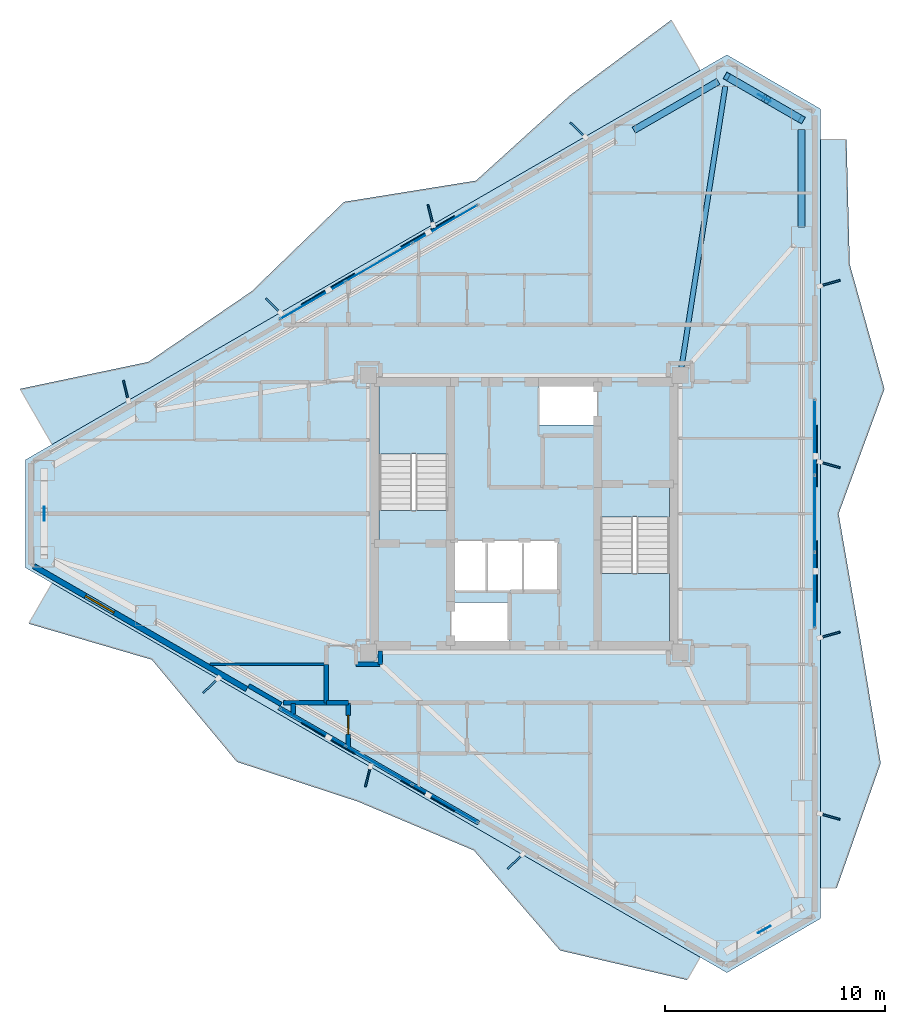
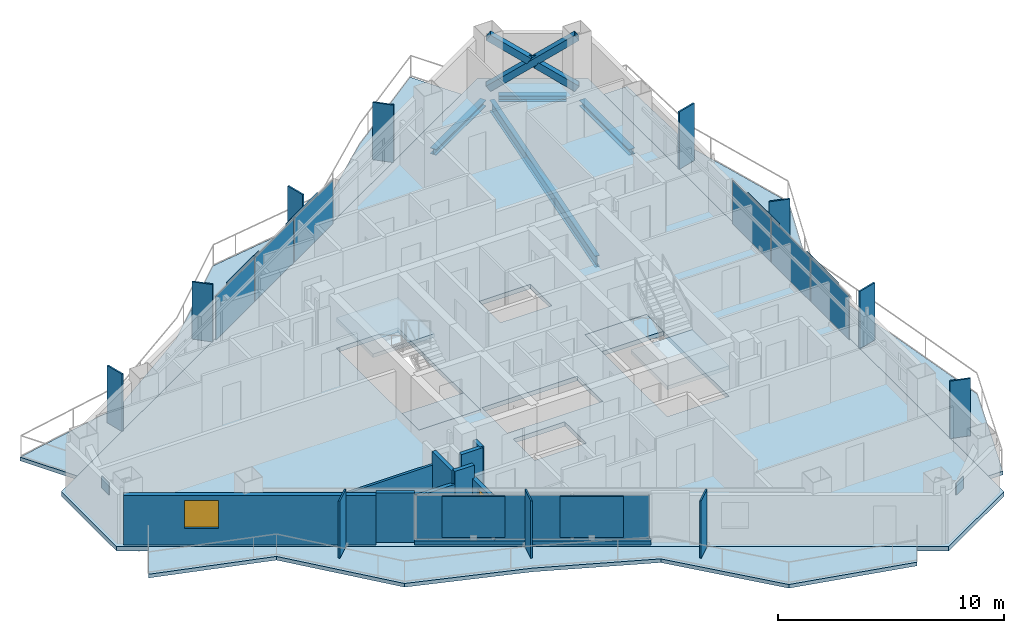
# One storey, part 11 of 18: 29 plates, 11 walls, 8 slabs, 4 beams, 3 members, 1 door, 1 window, 2 openings, 5 elements without a shape of their own.
"""IFC4 building model written with IfcOpenShell, lengths in metres."""

from ifc_helpers import new_model, si_unit, direction, frame, frame_2d, origin, origin_2d, place, context, subcontext, project, spatial, polyline, rectangle, hollow_rectangle, i_section, outline, extrude, material, layer, layer_set, material_profile, profile_set, type_object, element, fill, aggregate, save


model = new_model("IFC4")

# Units and contexts
model_context = context("Model", 3, precision=1e-05, world=origin(), true_north=direction((0.0, 1.0)))
body_context = subcontext(model_context, "Body", "Model", "MODEL_VIEW")
ifc_project = project(units=[si_unit("LENGTHUNIT", "METRE"), si_unit("AREAUNIT", "SQUARE_METRE"), si_unit("VOLUMEUNIT", "CUBIC_METRE"), si_unit("PLANEANGLEUNIT", "RADIAN"), si_unit("MASSUNIT", "GRAM", prefix="KILO")], contexts=[model_context])

# Site, building, storey
site_placement = place(None, origin())
site = spatial("IfcSite", under=ifc_project, at=site_placement, CompositionType="ELEMENT")
building_placement = place(site_placement, origin())
building = spatial("IfcBuilding", under=site, at=building_placement, Name="Mersakhor Tower and Convention Hall", CompositionType="ELEMENT")
storey_placement = place(building_placement, frame((0.0, 0.0, 150.89990234375)))
storey = spatial("IfcBuildingStorey", under=building, at=storey_placement, Name="L42", CompositionType="ELEMENT", Elevation=150.89990234375)

# Beams
ifc_material_1 = material(Name="Steel S355", Category="steel")
ifc_material_profile_1 = material_profile(ifc_material_1, i_section(OverallWidth=0.22900390625, OverallDepth=0.6123046875, WebThickness=0.011962890625, FlangeThickness=0.01953125, at=origin_2d()), Name="UB 610x229x125")
ifc_profile_set_1 = profile_set([ifc_material_profile_1], Name="Steel S355")
beam_type_1 = type_object("IfcBeamType", Name="BM-PR-610", PredefinedType="BEAM", material=ifc_profile_set_1)
beam_1_placement = place(storey_placement, frame((36.15478515625, 33.40087890625, -0.5458984375), z_axis=(0.154111159783, 0.988053515975, 0.0), x_axis=(-0.988053515975, 0.154111159783, 0.0)))
element("IfcBeam", 1, at=beam_1_placement, inside=storey, type_object=beam_type_1, Name="L42 Primary Floor Girder FG-2", PredefinedType="BEAM", context=body_context, shape_type="SweptSolid", body=[
    extrude(i_section(OverallWidth=0.22900390625, OverallDepth=0.6123046875, WebThickness=0.011962890625, FlangeThickness=0.01953125, at=origin_2d()), origin(), (0.0, 0.0, 1.0), 12.94921875),
])
ifc_material_2 = material(Name="Steel S355", Category="steel")
ifc_material_profile_2 = material_profile(ifc_material_2, i_section(OverallWidth=0.30908203125, OverallDepth=0.320556640625, WebThickness=0.013916015625, FlangeThickness=0.021728515625, at=origin_2d()), Name="UC 305x305x137")
ifc_profile_set_2 = profile_set([ifc_material_profile_2], Name="Steel S355")
beam_type_2 = type_object("IfcBeamType", Name="BM-SPD-UC305", PredefinedType="SPANDREL", material=ifc_profile_set_2)
beam_2_placement = place(storey_placement, frame((33.986572265625, 44.200439453125, -0.400146484375), z_axis=(0.866038875684, 0.49997666526, 0.0), x_axis=(-0.49997666526, 0.866038875684, 0.0)))
element("IfcBeam", 2, at=beam_2_placement, inside=storey, type_object=beam_type_2, Name="L42 Perimeter Spandrel Beam SPB-03", PredefinedType="SPANDREL", context=body_context, shape_type="SweptSolid", body=[
    extrude(i_section(OverallWidth=0.30908203125, OverallDepth=0.320556640625, WebThickness=0.013916015625, FlangeThickness=0.021728515625, at=origin_2d()), origin(), (0.0, 0.0, 1.0), 4.433837890625),
])
beam_3_placement = place(storey_placement, frame((38.614501953125, 46.417236328125, -0.400146484375), z_axis=(0.86604667077, -0.499963162692, 0.0), x_axis=(0.499963162692, 0.86604667077, 0.0)))
element("IfcBeam", 3, at=beam_3_placement, inside=storey, type_object=beam_type_2, Name="L42 Perimeter Spandrel Beam SPB-04", PredefinedType="SPANDREL", context=body_context, shape_type="SweptSolid", body=[
    extrude(i_section(OverallWidth=0.30908203125, OverallDepth=0.320556640625, WebThickness=0.013916015625, FlangeThickness=0.021728515625, at=origin_2d()), origin(), (0.0, 0.0, 1.0), 3.014404296875),
])
beam_4_placement = place(storey_placement, frame((41.619140625, 44.2275390625, -0.400146484375), z_axis=(0.0, -1.0, 0.0), x_axis=(1.0, 0.0, 0.0)))
element("IfcBeam", 4, at=beam_4_placement, inside=storey, type_object=beam_type_2, Name="L42 Perimeter Spandrel Beam SPB-05", PredefinedType="SPANDREL", context=body_context, shape_type="SweptSolid", body=[
    extrude(i_section(OverallWidth=0.30908203125, OverallDepth=0.320556640625, WebThickness=0.013916015625, FlangeThickness=0.021728515625, at=origin_2d()), origin(), (0.0, 0.0, 1.0), 4.433837890625),
])

# Members
ifc_material_3 = material(Name="Steel S460", Category="steel")
ifc_material_profile_3 = material_profile(ifc_material_3, hollow_rectangle(XDim=0.35009765625, YDim=0.35009765625, WallThickness=0.02001953125, at=origin_2d()), Name="SHS 350x350x20")
ifc_profile_set_3 = profile_set([ifc_material_profile_3], Name="Steel S460")
member_type = type_object("IfcMemberType", Name="MB-BRC-SHS350", PredefinedType="BRACE", material=ifc_profile_set_3)
member_placement = place(storey_placement, frame((38.220458984375, 46.644775390625, 0.150146484375), z_axis=(0.70838533923, -0.408971551713, 0.575267312693), x_axis=(0.499986324622, 0.866033299124, 0.0)))
element("IfcMember", 5, at=member_placement, inside=storey, type_object=member_type, Name="L42 Chamfer Braced Frame Diagonal CB-1A", PredefinedType="BRACE", context=body_context, shape_type="SweptSolid", body=[
    extrude(hollow_rectangle(XDim=0.35009765625, YDim=0.35009765625, WallThickness=0.02001953125, at=origin_2d()), origin(), (0.0, 0.0, 1.0), 4.7978515625),
])
for number, where, z_axis, x_axis, name in (
    (6, (41.619140625, 44.6826171875, 0.150146484375), (-0.708409139881, 0.409012716899, 0.575208734242), (-0.500011469263, -0.866018781901, 0.0), "L42 Chamfer Braced Frame Diagonal CB-1B Lower Half"),
    (7, (39.782470703125, 45.742919921875, 1.6416015625), (-0.708364021879, 0.408986667212, 0.575282816143), (-0.500011469263, -0.866018781901, 0.0), "L42 Chamfer Braced Frame Diagonal CB-1B Upper Half"),
):
    element("IfcMember", number, at=place(storey_placement, frame(where, z_axis=z_axis, x_axis=x_axis)), inside=storey, type_object=member_type, Name=name, PredefinedType="BRACE", context=body_context, shape_type="SweptSolid", body=[
        extrude(hollow_rectangle(XDim=0.35009765625, YDim=0.35009765625, WallThickness=0.02001953125, at=origin_2d()), origin(), (0.0, 0.0, 1.0), 2.205078125),
    ])

# Curtain wall, plates
ifc_material_4 = material(Name="Dark solar low-E aluminium curtain wall", Category="aluminium")
ifc_layer_1 = layer(ifc_material_4, 0.169921875)
ifc_layer_set_1 = layer_set([ifc_layer_1], Name="Dark solar low-E aluminium curtain wall")
curtain_wall_type = type_object("IfcCurtainWallType", Name="CW-SYS-02", PredefinedType="USERDEFINED", material=ifc_layer_set_1)
curtain_wall_1_placement = place(storey_placement, origin())
curtain_wall_1 = element("IfcCurtainWall", 8, at=curtain_wall_1_placement, inside=storey, type_object=curtain_wall_type, Name="L42 Dark-Glass Curtain Wall F1-B2", ObjectType="CURTAIN WALL", PredefinedType="USERDEFINED")
ifc_material_5 = material(Name="Dark solar double glazing", Category="glass")
ifc_layer_2 = layer(ifc_material_5, 0.028076171875)
ifc_layer_set_2 = layer_set([ifc_layer_2], Name="Dark solar double glazing")
plate_type_1 = type_object("IfcPlateType", Name="CWP-GLZ-28", PredefinedType="CURTAIN_PANEL", material=ifc_layer_set_2)
plate_1_placement = place(storey_placement, frame((19.379638671875, 36.4599609375, 0.26025390625), z_axis=(0.0, 0.0, 1.0), x_axis=(0.866030906807, 0.499990468363, 0.0)))
plate_1 = element("IfcPlate", 9, at=plate_1_placement, type_object=plate_type_1, Name="CW-02 panel 1.1", PredefinedType="CURTAIN_PANEL", context=body_context, shape_type="SweptSolid", body=[
    extrude(rectangle(XDim=3.3828125, YDim=0.028076171875, at=origin_2d()), origin(), (0.0, 0.0, 1.0), 2.360107421875),
])
plate_2_placement = place(storey_placement, frame((22.390380859375, 38.1982421875, 0.26025390625), z_axis=(0.0, 0.0, 1.0), x_axis=(0.866030906807, 0.499990468363, 0.0)))
plate_2 = element("IfcPlate", 10, at=plate_2_placement, type_object=plate_type_1, Name="CW-02 panel 2.1", PredefinedType="CURTAIN_PANEL", context=body_context, shape_type="SweptSolid", body=[
    extrude(rectangle(XDim=3.42041015625, YDim=0.028076171875, at=origin_2d()), origin(), (0.0, 0.0, 1.0), 2.360107421875),
])
plate_3_placement = place(storey_placement, frame((25.401123046875, 39.9365234375, 0.26025390625), z_axis=(0.0, 0.0, 1.0), x_axis=(0.866030906807, 0.499990468363, 0.0)))
plate_3 = element("IfcPlate", 11, at=plate_3_placement, type_object=plate_type_1, Name="CW-02 panel 3.1", PredefinedType="CURTAIN_PANEL", context=body_context, shape_type="SweptSolid", body=[
    extrude(rectangle(XDim=3.3828125, YDim=0.028076171875, at=origin_2d()), origin(), (0.0, 0.0, 1.0), 2.360107421875),
])
aggregate(curtain_wall_1, [plate_1, plate_2, plate_3])

curtain_wall_2_placement = place(storey_placement, origin())
curtain_wall_2 = element("IfcCurtainWall", 12, at=curtain_wall_2_placement, inside=storey, type_object=curtain_wall_type, Name="L42 Dark-Glass Curtain Wall F2-B2", ObjectType="CURTAIN WALL", PredefinedType="USERDEFINED")
plate_4_placement = place(storey_placement, frame((42.21923828125, 30.2265625, 0.26025390625), z_axis=(0.0, 0.0, 1.0), x_axis=(0.0, -1.0, 0.0)))
plate_4 = element("IfcPlate", 13, at=plate_4_placement, type_object=plate_type_1, Name="CW-02 panel 1.1", PredefinedType="CURTAIN_PANEL", context=body_context, shape_type="SweptSolid", body=[
    extrude(rectangle(XDim=3.3828125, YDim=0.028076171875, at=origin_2d()), origin(), (0.0, 0.0, 1.0), 2.360107421875),
])
plate_5_placement = place(storey_placement, frame((42.21923828125, 26.75, 0.26025390625), z_axis=(0.0, 0.0, 1.0), x_axis=(0.0, -1.0, 0.0)))
plate_5 = element("IfcPlate", 14, at=plate_5_placement, type_object=plate_type_1, Name="CW-02 panel 2.1", PredefinedType="CURTAIN_PANEL", context=body_context, shape_type="SweptSolid", body=[
    extrude(rectangle(XDim=3.42041015625, YDim=0.028076171875, at=origin_2d()), origin(), (0.0, 0.0, 1.0), 2.360107421875),
])
plate_6_placement = place(storey_placement, frame((42.21923828125, 23.2734375, 0.26025390625), z_axis=(0.0, 0.0, 1.0), x_axis=(0.0, -1.0, 0.0)))
plate_6 = element("IfcPlate", 15, at=plate_6_placement, type_object=plate_type_1, Name="CW-02 panel 3.1", PredefinedType="CURTAIN_PANEL", context=body_context, shape_type="SweptSolid", body=[
    extrude(rectangle(XDim=3.3828125, YDim=0.028076171875, at=origin_2d()), origin(), (0.0, 0.0, 1.0), 2.360107421875),
])
aggregate(curtain_wall_2, [plate_4, plate_5, plate_6])

curtain_wall_3_placement = place(storey_placement, origin())
curtain_wall_3 = element("IfcCurtainWall", 16, at=curtain_wall_3_placement, inside=storey, type_object=curtain_wall_type, Name="L42 Dark-Glass Curtain Wall F3-B2", ObjectType="CURTAIN WALL", PredefinedType="USERDEFINED")
plate_7_placement = place(storey_placement, frame((25.401123046875, 13.5634765625, 0.26025390625), z_axis=(0.0, 0.0, 1.0), x_axis=(-0.866030906807, 0.499990468363, 0.0)))
plate_7 = element("IfcPlate", 17, at=plate_7_placement, type_object=plate_type_1, Name="CW-02 panel 1.1", PredefinedType="CURTAIN_PANEL", context=body_context, shape_type="SweptSolid", body=[
    extrude(rectangle(XDim=3.3828125, YDim=0.028076171875, at=origin_2d()), origin(), (0.0, 0.0, 1.0), 2.360107421875),
])
plate_8_placement = place(storey_placement, frame((22.390380859375, 15.3017578125, 0.26025390625), z_axis=(0.0, 0.0, 1.0), x_axis=(-0.866030906807, 0.499990468363, 0.0)))
plate_8 = element("IfcPlate", 18, at=plate_8_placement, type_object=plate_type_1, Name="CW-02 panel 2.1", PredefinedType="CURTAIN_PANEL", context=body_context, shape_type="SweptSolid", body=[
    extrude(rectangle(XDim=3.42041015625, YDim=0.028076171875, at=origin_2d()), origin(), (0.0, 0.0, 1.0), 2.360107421875),
])
plate_9_placement = place(storey_placement, frame((19.379638671875, 17.0400390625, 0.26025390625), z_axis=(0.0, 0.0, 1.0), x_axis=(-0.866030906807, 0.499990468363, 0.0)))
plate_9 = element("IfcPlate", 19, at=plate_9_placement, type_object=plate_type_1, Name="CW-02 panel 3.1", PredefinedType="CURTAIN_PANEL", context=body_context, shape_type="SweptSolid", body=[
    extrude(rectangle(XDim=3.3828125, YDim=0.028076171875, at=origin_2d()), origin(), (0.0, 0.0, 1.0), 2.360107421875),
])
aggregate(curtain_wall_3, [plate_7, plate_8, plate_9])

# Plates
ifc_material_6 = material(Name="Ceramic-clad aluminium Zone 3 ochre-bronze", Category="aluminium")
ifc_material_7 = material(Name="Ceramic-clad aluminium Zone 1 cobalt-slate", Category="masonry")
ifc_layer_3 = layer(ifc_material_7, 0.080078125)
ifc_layer_set_3 = layer_set([ifc_layer_3], Name="Ceramic-clad aluminium Zone 1 cobalt-slate")
plate_type_2 = type_object("IfcPlateType", Name="PL-FIN-80", PredefinedType="USERDEFINED", material=ifc_layer_set_3)
for number, where, z_axis, x_axis, name in (
    (20, (10.8818359375, 32.3466796875, 0.0), (0.0, 0.0, 1.0), (-0.2419218956, 0.970295726276, 0.0), "L42 Zone 3 Coloured Brise-Soleil Fin F1-1"),
    (21, (17.58349609375, 36.215576171875, 0.0), (0.0, 0.0, 1.0), (-0.719339800339, 0.694658370459, 0.0), "L42 Zone 3 Coloured Brise-Soleil Fin F1-2"),
    (22, (24.73828125, 40.346435546875, 0.0), (0.0, 0.0, 1.0), (-0.2419218956, 0.970295726276, 0.0), "L42 Zone 3 Coloured Brise-Soleil Fin F1-3"),
    (23, (31.439697265625, 44.215576171875, 0.0), (0.0, 0.0, 1.0), (-0.719339800339, 0.694658370459, 0.0), "L42 Zone 3 Coloured Brise-Soleil Fin F1-4"),
    (24, (42.90576171875, 37.237548828125, 0.0), (0.0, 0.0, 1.0), (0.961261695938, 0.275637355817, 0.0), "L42 Zone 3 Coloured Brise-Soleil Fin F2-1"),
    (25, (42.90576171875, 28.9755859375, 0.0), (0.0, 0.0, 1.0), (0.961261695938, -0.275637355817, 0.0), "L42 Zone 3 Coloured Brise-Soleil Fin F2-2"),
    (26, (42.90576171875, 21.237548828125, 0.0), (0.0, 0.0, 1.0), (0.961261695938, 0.275637355817, 0.0), "L42 Zone 3 Coloured Brise-Soleil Fin F2-3"),
    (27, (42.90576171875, 12.9755859375, 0.0), (0.0, 0.0, 1.0), (0.961261695938, -0.275637355817, 0.0), "L42 Zone 3 Coloured Brise-Soleil Fin F2-4"),
    (28, (28.593505859375, 10.927734375, 0.0), (0.0, 0.0, 1.0), (-0.719339800339, -0.694658370459, 0.0), "L42 Zone 3 Coloured Brise-Soleil Fin F3-1"),
    (29, (21.89208984375, 14.796875, 0.0), (0.0, 0.0, 1.0), (-0.2419218956, -0.970295726276, 0.0), "L42 Zone 3 Coloured Brise-Soleil Fin F3-2"),
    (30, (14.737060546875, 18.927734375, 0.0), (0.0, 0.0, 1.0), (-0.719339800339, -0.694658370459, 0.0), "L42 Zone 3 Coloured Brise-Soleil Fin F3-3"),
):
    element("IfcPlate", number, at=place(storey_placement, frame(where, z_axis=z_axis, x_axis=x_axis)), inside=storey, type_object=plate_type_2, material=ifc_material_6, Name=name, ObjectType="FIN", PredefinedType="USERDEFINED", context=body_context, shape_type="SweptSolid", body=[
        extrude(rectangle(XDim=0.949951171875, YDim=0.080078125, at=origin_2d()), origin(), (0.0, 0.0, 1.0), 3.10009765625),
    ])
ifc_material_8 = material(Name="Steel S460", Category="steel")
ifc_layer_4 = layer(ifc_material_8, 0.0400390625)
ifc_layer_set_4 = layer_set([ifc_layer_4], Name="Steel S460")
plate_type_3 = type_object("IfcPlateType", Name="PL-GUSSET-40", PredefinedType="SHEET", material=ifc_layer_set_4)
for number, where, z_axis, x_axis, name in (
    (31, (39.919921875, 45.663818359375, 1.2099609375), (0.0, 0.0, 1.0), (-0.866025403784, 0.5, 0.0), "L42 X-Brace Crossing Gusset Node Plate"),
    (32, (39.919921875, 7.836181640625, 1.2099609375), (0.0, 0.0, 1.0), (0.866025403784, 0.5, 0.0), "L42 X-Brace Crossing Gusset Node Plate"),
    (33, (7.160400390625, 26.75, 1.2099609375), (0.0, 0.0, 1.0), (0.0, -1.0, 0.0), "L42 X-Brace Crossing Gusset Node Plate"),
):
    element("IfcPlate", number, at=place(storey_placement, frame(where, z_axis=z_axis, x_axis=x_axis)), inside=storey, type_object=plate_type_3, Name=name, PredefinedType="SHEET", context=body_context, shape_type="SweptSolid", body=[
        extrude(rectangle(XDim=0.639892578125, YDim=0.0400390625, at=origin_2d()), origin(), (0.0, 0.0, 1.0), 0.639892578125),
    ])
ifc_material_9 = material(Name="Perforated ceramic cobogo solar screen", Category="aluminium")
ifc_layer_5 = layer(ifc_material_9, 0.048095703125)
ifc_layer_set_5 = layer_set([ifc_layer_5], Name="Perforated ceramic cobogo solar screen")
plate_type_4 = type_object("IfcPlateType", Name="PL-SCR-48", PredefinedType="USERDEFINED", material=ifc_layer_set_5)
for number, where, z_axis, x_axis, name in (
    (34, (20.072998046875, 36.96875, 0.400146484375), (0.0, 0.0, 1.0), (0.866025403784, 0.5, 0.0), "L42 Perforated Ceramic Solar Screen F1-1"),
    (35, (24.61376953125, 39.59033203125, 0.400146484375), (0.0, 0.0, 1.0), (0.866025403784, 0.5, 0.0), "L42 Perforated Ceramic Solar Screen F1-2"),
    (36, (42.313232421875, 29.37158203125, 0.400146484375), (0.0, 0.0, 1.0), (0.0, -1.0, 0.0), "L42 Perforated Ceramic Solar Screen F2-1"),
    (37, (42.313232421875, 24.12841796875, 0.400146484375), (0.0, 0.0, 1.0), (0.0, -1.0, 0.0), "L42 Perforated Ceramic Solar Screen F2-2"),
    (38, (24.61376953125, 13.90966796875, 0.400146484375), (0.0, 0.0, 1.0), (-0.866025403784, 0.5, 0.0), "L42 Perforated Ceramic Solar Screen F3-1"),
    (39, (20.072998046875, 16.53125, 0.400146484375), (0.0, 0.0, 1.0), (-0.866025403784, 0.5, 0.0), "L42 Perforated Ceramic Solar Screen F3-2"),
):
    element("IfcPlate", number, at=place(storey_placement, frame(where, z_axis=z_axis, x_axis=x_axis)), inside=storey, type_object=plate_type_4, Name=name, ObjectType="SCREEN", PredefinedType="USERDEFINED", context=body_context, shape_type="SweptSolid", body=[
        extrude(rectangle(XDim=2.800048828125, YDim=0.048095703125, at=origin_2d()), origin(), (0.0, 0.0, 1.0), 2.22998046875),
    ])

# Slabs
ifc_material_10 = material(Name="Concrete C45/55", Category="concrete")
ifc_layer_6 = layer(ifc_material_10, 0.199951171875)
ifc_layer_set_6 = layer_set([ifc_layer_6], Name="Concrete C45/55")
slab_type_1 = type_object("IfcSlabType", Name="SL-BAL-200", PredefinedType="FLOOR", material=ifc_layer_set_6)
slab_1_placement = place(storey_placement, frame((0.0, 0.0, -0.199951171875)))
element("IfcSlab", 40, at=slab_1_placement, inside=storey, type_object=slab_type_1, Name="L42 Sinusoidal Balcony Slab Face 1", PredefinedType="FLOOR", context=body_context, shape_type="SweptSolid", body=[
    extrude(outline(polyline([(7.522705078125, 29.903076171875), (37.008056640625, 46.92626953125), (35.688232421875, 49.21240234375), (31.105712890625, 45.800537109375), (26.8046875, 41.9013671875), (20.80859375, 40.93798828125), (16.604248046875, 36.871337890625), (11.90673828125, 33.65869140625), (6.062744140625, 32.431884765625), (7.522705078125, 29.903076171875)])), origin(), (0.0, 0.0, 1.0), 0.199951171875),
])
slab_2_placement = place(storey_placement, frame((0.0, 0.0, -0.199951171875)))
element("IfcSlab", 41, at=slab_2_placement, inside=storey, type_object=slab_type_1, Name="L42 Sinusoidal Balcony Slab Face 2", PredefinedType="FLOOR", context=body_context, shape_type="SweptSolid", body=[
    extrude(outline(polyline([(42.46923828125, 43.773193359375), (42.46923828125, 9.726806640625), (43.21923828125, 9.726806640625), (45.2177734375, 15.401123046875), (44.283935546875, 21.07568359375), (43.302490234375, 26.75), (45.38916015625, 32.42431640625), (43.8095703125, 38.098876953125), (43.664306640625, 43.773193359375), (42.46923828125, 43.773193359375)])), origin(), (0.0, 0.0, 1.0), 0.199951171875),
])
slab_3_placement = place(storey_placement, frame((0.0, 0.0, -0.199951171875)))
element("IfcSlab", 42, at=slab_3_placement, inside=storey, type_object=slab_type_1, Name="L42 Sinusoidal Balcony Slab Face 3", PredefinedType="FLOOR", context=body_context, shape_type="SweptSolid", body=[
    extrude(outline(polyline([(37.008056640625, 6.57373046875), (7.522705078125, 23.596923828125), (6.45556640625, 21.74853515625), (12.06201171875, 20.1103515625), (15.930908203125, 15.462646484375), (21.43896484375, 13.65380859375), (26.7099609375, 11.434814453125), (30.6337890625, 6.882080078125), (36.41064453125, 5.538818359375), (37.008056640625, 6.57373046875)])), origin(), (0.0, 0.0, 1.0), 0.199951171875),
])
ifc_material_11 = material(Name="Concrete C40/50", Category="concrete")
ifc_layer_7 = layer(ifc_material_11, 0.239990234375)
ifc_layer_set_7 = layer_set([ifc_layer_7], Name="Concrete C40/50")
slab_type_2 = type_object("IfcSlabType", Name="SL-FLR-240", PredefinedType="FLOOR", material=ifc_layer_set_7)
slab_4_placement = place(storey_placement, frame((0.0, 0.0, -0.239990234375)))
element("IfcSlab", 43, at=slab_4_placement, inside=storey, type_object=slab_type_2, Name="L42 ST-1 Structural Stair Floor Landing", PredefinedType="LANDING", context=body_context, shape_type="SweptSolid", body=[
    extrude(outline(polyline([(25.550048828125, 25.39990234375), (25.550048828125, 26.89990234375), (22.39990234375, 26.89990234375), (22.39990234375, 25.39990234375), (25.550048828125, 25.39990234375)])), origin(), (0.0, 0.0, 1.0), 0.239990234375),
])
slab_5_placement = place(storey_placement, frame((0.0, 0.0, -0.239990234375)))
element("IfcSlab", 44, at=slab_5_placement, inside=storey, type_object=slab_type_2, Name="L42 ST-2 Structural Stair Floor Landing", PredefinedType="LANDING", context=body_context, shape_type="SweptSolid", body=[
    extrude(outline(polyline([(32.449951171875, 28.10009765625), (32.449951171875, 26.60009765625), (35.60009765625, 26.60009765625), (35.60009765625, 28.10009765625), (32.449951171875, 28.10009765625)])), origin(), (0.0, 0.0, 1.0), 0.239990234375),
])
slab_6_placement = place(storey_placement, frame((0.0, 0.0, -0.239990234375)))
element("IfcSlab", 45, at=slab_6_placement, inside=storey, type_object=slab_type_2, Name="Tower L42 Structural Floor Slab", PredefinedType="FLOOR", context=body_context, shape_type="SweptSolid", body=[
    extrude(outline(polyline([(6.310302734375, 29.202880859375), (38.220458984375, 47.626220703125), (42.46923828125, 45.17333984375), (42.46923828125, 8.32666015625), (38.220458984375, 5.873779296875), (6.310302734375, 24.297119140625), (6.310302734375, 29.202880859375)]), holes=[polyline([(25.550048828125, 25.39990234375), (25.550048828125, 32.699951171875), (22.39990234375, 32.699951171875), (22.39990234375, 25.39990234375), (25.550048828125, 25.39990234375)]), polyline([(32.449951171875, 28.10009765625), (32.449951171875, 20.800048828125), (35.60009765625, 20.800048828125), (35.60009765625, 28.10009765625), (32.449951171875, 28.10009765625)]), polyline([(25.679931640625, 20.820068359375), (25.679931640625, 22.719970703125), (28.320068359375, 22.719970703125), (28.320068359375, 20.820068359375), (25.679931640625, 20.820068359375)]), polyline([(29.679931640625, 30.780029296875), (29.679931640625, 32.679931640625), (32.320068359375, 32.679931640625), (32.320068359375, 30.780029296875), (29.679931640625, 30.780029296875)]), polyline([(25.679931640625, 23.25), (25.679931640625, 25.5), (30.570068359375, 25.5), (30.570068359375, 23.25), (25.679931640625, 23.25)])]), origin(), (0.0, 0.0, 1.0), 0.239990234375),
])

# Stair, slab
ifc_material_12 = material(Name="Concrete C45/55", Category="concrete")
stair_type = type_object("IfcStairType", Name="ST-TWR-20R", PredefinedType="HALF_TURN_STAIR", material=ifc_material_12)
stair_1_placement = place(storey_placement, origin())
stair_1 = element("IfcStair", 46, at=stair_1_placement, inside=storey, type_object=stair_type, Name="L42 Tower Protected Exit Stair ST-1", PredefinedType="HALF_TURN_STAIR")
ifc_material_13 = material(Name="Concrete C45/55", Category="concrete")
ifc_layer_8 = layer(ifc_material_13, 0.199951171875)
ifc_layer_set_8 = layer_set([ifc_layer_8], Name="Concrete C45/55")
slab_type_3 = type_object("IfcSlabType", Name="SL-LAND-200", PredefinedType="LANDING", material=ifc_layer_set_8)
slab_7_placement = place(storey_placement, frame((0.0, 0.0, 1.4501953125)))
slab_7 = element("IfcSlab", 47, at=slab_7_placement, type_object=slab_type_3, Name="ST-1 landing 1", PredefinedType="LANDING", context=body_context, shape_type="SweptSolid", body=[
    extrude(outline(polyline([(25.550048828125, 29.465087890625), (25.550048828125, 32.699951171875), (22.39990234375, 32.699951171875), (22.39990234375, 29.465087890625), (25.550048828125, 29.465087890625)])), origin(), (0.0, 0.0, 1.0), 0.199951171875),
])
aggregate(stair_1, [slab_7])

stair_2_placement = place(storey_placement, origin())
stair_2 = element("IfcStair", 48, at=stair_2_placement, inside=storey, type_object=stair_type, Name="L42 Tower Protected Exit Stair ST-2", PredefinedType="HALF_TURN_STAIR")
slab_8_placement = place(storey_placement, frame((0.0, 0.0, 1.4501953125)))
slab_8 = element("IfcSlab", 49, at=slab_8_placement, type_object=slab_type_3, Name="ST-2 landing 1", PredefinedType="LANDING", context=body_context, shape_type="SweptSolid", body=[
    extrude(outline(polyline([(32.449951171875, 24.034912109375), (32.449951171875, 20.800048828125), (35.60009765625, 20.800048828125), (35.60009765625, 24.034912109375), (32.449951171875, 24.034912109375)])), origin(), (0.0, 0.0, 1.0), 0.199951171875),
])
aggregate(stair_2, [slab_8])

# Wall, opening, window
ifc_material_14 = material(Name="Precast concrete C40/50", Category="concrete")
ifc_layer_9 = layer(ifc_material_14, 0.25)
ifc_layer_set_9 = layer_set([ifc_layer_9], Name="Precast concrete C40/50")
wall_type_1 = type_object("IfcWallType", Name="WL-EXT-250", PredefinedType="SOLIDWALL", material=ifc_layer_set_9)
wall_1_placement = place(storey_placement, frame((16.377685546875, 18.773193359375, 0.0), z_axis=(0.0, 0.0, 1.0), x_axis=(-0.866027848477, 0.499995765644, 0.0)))
wall_1 = element("IfcWall", 50, at=wall_1_placement, inside=storey, type_object=wall_type_1, Name="L42 Exterior Facade Wall F3-B3", PredefinedType="SOLIDWALL", context=body_context, shape_type="SweptSolid", body=[
    extrude(rectangle(XDim=11.18603515625, YDim=0.25, at=frame_2d((5.593017578125, 0.0))), origin(), (0.0, 0.0, 1.0), 2.68017578125),
])
opening_1_placement = place(wall_1_placement, frame((6.97412109375, 0.0, 0.89990234375)))
opening_1 = element("IfcOpeningElement", 51, at=opening_1_placement, cuts=wall_1, Name="Opening W-02", PredefinedType="OPENING", context=body_context, shape_type="SweptSolid", body=[
    extrude(rectangle(XDim=1.5, YDim=1.5, at=frame_2d((0.75, 0.75))), frame((0.0, 0.135009765625, 0.0), z_axis=(0.0, -1.0, 0.0), x_axis=(1.0, 0.0, 0.0)), (0.0, 0.0, 1.0), 0.27001953125),
])
ifc_material_15 = material(Name="Dark solar low-E glazed aluminium window", Category="aluminium")
window_type = type_object("IfcWindowType", Name="WN-RES-150x150", PartitioningType="SINGLE_PANEL", PredefinedType="WINDOW", material=ifc_material_15)
window_placement = place(opening_1_placement, origin())
window = element("IfcWindow", 52, at=window_placement, inside=storey, type_object=window_type, Name="L42 Facade Punched Window F3-B3", OverallHeight=1.5, OverallWidth=1.5, PartitioningType="SINGLE_PANEL", PredefinedType="WINDOW", context=body_context, shape_type="SweptSolid", body=[
    extrude(rectangle(XDim=1.5, YDim=1.5, at=frame_2d((0.75, 0.75))), frame((0.0, 0.030029296875, 0.0), z_axis=(0.0, -1.0, 0.0), x_axis=(1.0, 0.0, 0.0)), (0.0, 0.0, 1.0), 0.06005859375),
])
fill(opening_1, window)

# Walls
ifc_material_16 = material(Name="Precast concrete C40/50", Category="concrete")
ifc_layer_10 = layer(ifc_material_16, 0.199951171875)
ifc_layer_set_10 = layer_set([ifc_layer_10], Name="Precast concrete C40/50")
wall_type_2 = type_object("IfcWallType", Name="WL-PAR-200", PredefinedType="PARAPET", material=ifc_layer_set_10)
wall_2_placement = place(storey_placement, frame((26.930908203125, 12.680419921875, 0.0), z_axis=(0.0, 0.0, 1.0), x_axis=(-0.866026619769, 0.499997893847, 0.0)))
element("IfcWall", 53, at=wall_2_placement, inside=storey, type_object=wall_type_2, Name="L42 Curtain Wall Upstand Sill F3-B2", PredefinedType="PARAPET", context=body_context, shape_type="SweptSolid", body=[
    extrude(rectangle(XDim=10.48583984375, YDim=0.199951171875, at=frame_2d((5.242919921875, 0.0))), origin(), (0.0, 0.0, 1.0), 0.2001953125),
])
wall_3_placement = place(storey_placement, frame((17.939697265625, 18.0791015625, 0.0), z_axis=(0.0, 0.0, 1.0), x_axis=(-0.865989465428, 0.500062241894, 0.0)))
element("IfcWall", 54, at=wall_3_placement, inside=storey, type_object=wall_type_2, Name="L42 Column Pier Cladding Wall F3-C2", PredefinedType="PARAPET", context=body_context, shape_type="SweptSolid", body=[
    extrude(rectangle(XDim=1.699951171875, YDim=0.199951171875, at=frame_2d((0.85009765625, 0.0))), origin(), (0.0, 0.0, 1.0), 2.68017578125),
])
ifc_material_17 = material(Name="Gypsum board acoustic partition", Category="other")
ifc_layer_11 = layer(ifc_material_17, 0.125)
ifc_layer_set_11 = layer_set([ifc_layer_11], Name="Gypsum board acoustic partition")
wall_type_3 = type_object("IfcWallType", Name="WL-PRT-125", PredefinedType="PARTITIONING", material=ifc_layer_set_11)
wall_4_placement = place(storey_placement, frame((20.0, 19.89990234375, 0.0), z_axis=(0.0, 0.0, 1.0), x_axis=(-1.0, 0.0, 0.0)))
element("IfcWall", 55, at=wall_4_placement, inside=storey, type_object=wall_type_3, Name="L42 Interior Partition Wall P-093", PredefinedType="PARTITIONING", context=body_context, shape_type="SweptSolid", body=[
    extrude(rectangle(XDim=5.302978515625, YDim=0.125, at=frame_2d((2.6513671875, 0.0))), origin(), (0.0, 0.0, 1.0), 2.364990234375),
])
ifc_material_18 = material(Name="Acoustic concrete blockwork and gypsum board", Category="masonry")
ifc_layer_12 = layer(ifc_material_18, 0.199951171875)
ifc_layer_set_12 = layer_set([ifc_layer_12], Name="Acoustic concrete blockwork and gypsum board")
wall_type_4 = type_object("IfcWallType", Name="WL-PRT-200", PredefinedType="PARTITIONING", material=ifc_layer_set_12)
wall_5_placement = place(storey_placement, frame((22.449951171875, 19.89990234375, 0.0), z_axis=(0.0, 0.0, 1.0), x_axis=(0.0, 1.0, 0.0)))
element("IfcWall", 56, at=wall_5_placement, inside=storey, type_object=wall_type_4, Name="L42 Interior Partition Wall P-034", PredefinedType="PARTITIONING", context=body_context, shape_type="SweptSolid", body=[
    extrude(rectangle(XDim=0.60009765625, YDim=0.199951171875, at=frame_2d((0.300048828125, 0.0))), origin(), (0.0, 0.0, 1.0), 2.432861328125),
])
wall_6_placement = place(storey_placement, frame((21.0, 18.14990234375, 0.0), z_axis=(0.0, 0.0, 1.0), x_axis=(-1.0, 0.0, 0.0)))
element("IfcWall", 57, at=wall_6_placement, inside=storey, type_object=wall_type_4, Name="L42 Interior Partition Wall P-046", PredefinedType="PARTITIONING", context=body_context, shape_type="SweptSolid", body=[
    extrude(rectangle(XDim=1.0, YDim=0.199951171875, at=frame_2d((0.5, 0.0))), origin(), (0.0, 0.0, 1.0), 3.06005859375),
])
wall_7_placement = place(storey_placement, frame((20.0, 18.14990234375, 0.0), z_axis=(0.0, 0.0, 1.0), x_axis=(0.0, 1.0, 0.0)))
element("IfcWall", 58, at=wall_7_placement, inside=storey, type_object=wall_type_4, Name="L42 Interior Partition Wall P-047", PredefinedType="PARTITIONING", context=body_context, shape_type="SweptSolid", body=[
    extrude(rectangle(XDim=1.75, YDim=0.199951171875, at=frame_2d((0.875, 0.0))), origin(), (0.0, 0.0, 1.0), 3.06005859375),
])
wall_8_placement = place(storey_placement, frame((21.35009765625, 19.89990234375, 0.0), z_axis=(0.0, 0.0, 1.0), x_axis=(1.0, 0.0, 0.0)))
element("IfcWall", 59, at=wall_8_placement, inside=storey, type_object=wall_type_4, Name="L42 Interior Partition Wall P-051", PredefinedType="PARTITIONING", context=body_context, shape_type="SweptSolid", body=[
    extrude(rectangle(XDim=1.099853515625, YDim=0.199951171875, at=frame_2d((0.5498046875, 0.0))), origin(), (0.0, 0.0, 1.0), 2.432861328125),
])
wall_9_placement = place(storey_placement, frame((18.04248046875, 18.14990234375, 0.0), z_axis=(0.0, 0.0, 1.0), x_axis=(1.0, 0.0, 0.0)))
element("IfcWall", 60, at=wall_9_placement, inside=storey, type_object=wall_type_4, Name="L42 Interior Partition Wall P-111", PredefinedType="PARTITIONING", context=body_context, shape_type="SweptSolid", body=[
    extrude(rectangle(XDim=1.95751953125, YDim=0.199951171875, at=frame_2d((0.978759765625, 0.0))), origin(), (0.0, 0.0, 1.0), 2.364990234375),
])

# Wall, opening, door
wall_10_placement = place(storey_placement, frame((21.0, 18.14990234375, 0.0), z_axis=(0.0, 0.0, 1.0), x_axis=(0.0, -1.0, 0.0)))
wall_10 = element("IfcWall", 61, at=wall_10_placement, inside=storey, type_object=wall_type_4, Name="L42 Interior Partition Wall P-112", PredefinedType="PARTITIONING", context=body_context, shape_type="SweptSolid", body=[
    extrude(rectangle(XDim=2.00146484375, YDim=0.199951171875, at=frame_2d((1.000732421875, 0.0))), origin(), (0.0, 0.0, 1.0), 2.364990234375),
])
opening_2_placement = place(wall_10_placement, frame((0.57568359375, 0.0, 0.0)))
opening_2 = element("IfcOpeningElement", 62, at=opening_2_placement, cuts=wall_10, Name="Opening SVD-01", PredefinedType="OPENING", context=body_context, shape_type="SweptSolid", body=[
    extrude(rectangle(XDim=0.85009765625, YDim=2.10009765625, at=frame_2d((0.425048828125, 1.050048828125))), frame((0.0, 0.10986328125, 0.0), z_axis=(0.0, -1.0, 0.0), x_axis=(1.0, 0.0, 0.0)), (0.0, 0.0, 1.0), 0.219970703125),
])
ifc_material_19 = material(Name="Fire-rated hardwood leaf and painted steel frame", Category="steel")
door_type = type_object("IfcDoorType", Name="DR-INT-SVC-085x210", OperationType="NOTDEFINED", PredefinedType="DOOR", material=ifc_material_19)
door_placement = place(opening_2_placement, origin())
door = element("IfcDoor", 63, at=door_placement, inside=storey, type_object=door_type, Name="L42 L42 Floor Household Store Room 3-1 to L42 Floor Shared Tea Pantry 3-2 Door", OperationType="SINGLE_SWING_RIGHT", OverallHeight=2.10009765625, OverallWidth=0.85009765625, PredefinedType="DOOR", context=body_context, shape_type="SweptSolid", body=[
    extrude(rectangle(XDim=0.85009765625, YDim=2.10009765625, at=frame_2d((0.425048828125, 1.050048828125))), frame((0.0, 0.02490234375, 0.0), z_axis=(0.0, -1.0, 0.0), x_axis=(1.0, 0.0, 0.0)), (0.0, 0.0, 1.0), 0.050048828125),
])
fill(opening_2, door)

# Wall
wall_11_placement = place(storey_placement, frame((18.5, 17.63671875, 0.0), z_axis=(0.0, 0.0, 1.0), x_axis=(0.0, 1.0, 0.0)))
element("IfcWall", 64, at=wall_11_placement, inside=storey, type_object=wall_type_4, Name="L42 Interior Partition Wall P-113", PredefinedType="PARTITIONING", context=body_context, shape_type="SweptSolid", body=[
    extrude(rectangle(XDim=0.4833984375, YDim=0.199951171875, at=frame_2d((0.24169921875, 0.0))), origin(), (0.0, 0.0, 1.0), 2.364990234375),
])

save(model, "model.ifc")
